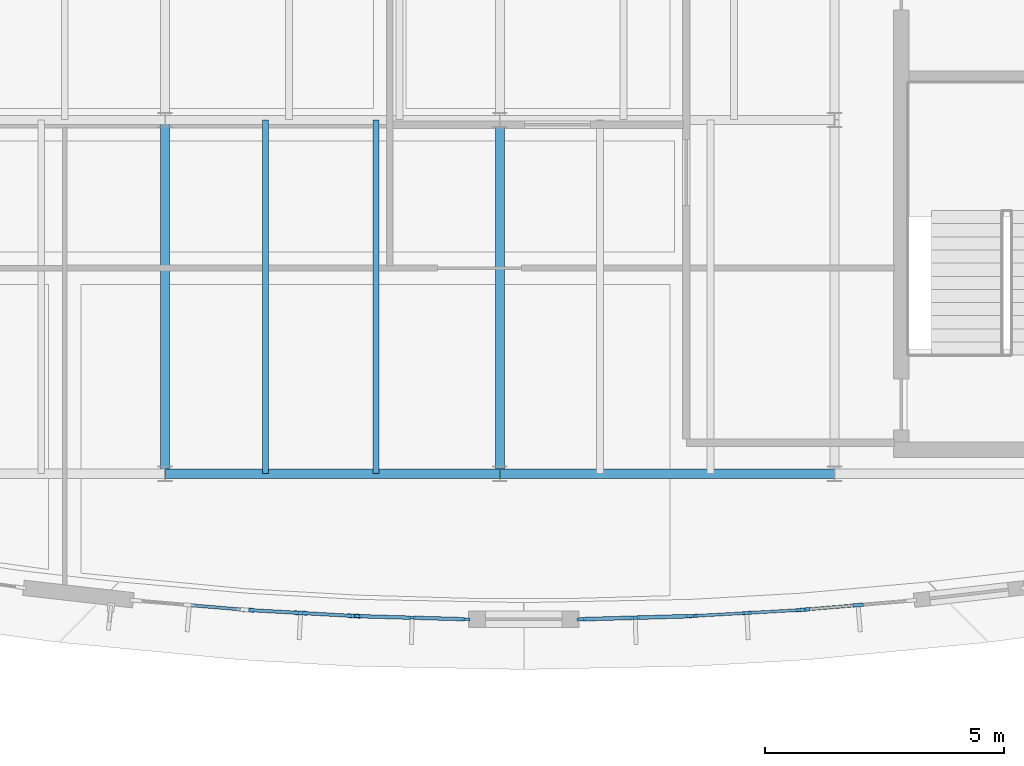
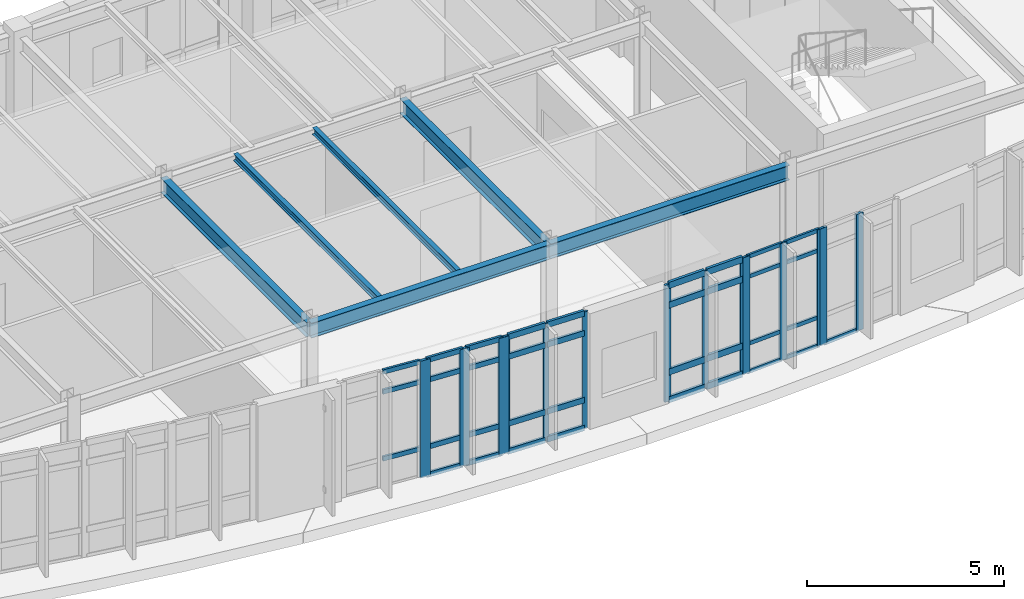
# One storey, part 35 of 111: 50 members, 6 beams, 6 elements without a shape of their own.
"""IFC4 building model written with IfcOpenShell, lengths in metres."""

from ifc_helpers import new_model, si_unit, direction, frame, origin, origin_2d, place, context, subcontext, project, spatial, rectangle, i_section, extrude, material, material_profile, profile_set, type_object, element, aggregate, save


model = new_model("IFC4")

# Units and contexts
model_context = context("Model", 3, precision=1e-05, world=origin(), true_north=direction((0.0, 1.0)))
body_context = subcontext(model_context, "Body", "Model", "MODEL_VIEW")
ifc_project = project(units=[si_unit("LENGTHUNIT", "METRE"), si_unit("AREAUNIT", "SQUARE_METRE"), si_unit("VOLUMEUNIT", "CUBIC_METRE"), si_unit("PLANEANGLEUNIT", "RADIAN"), si_unit("MASSUNIT", "GRAM", prefix="KILO")], contexts=[model_context])

# Site, building, storey
site_placement = place(None, origin())
site = spatial("IfcSite", under=ifc_project, at=site_placement, CompositionType="ELEMENT")
building_placement = place(site_placement, origin())
building = spatial("IfcBuilding", under=site, at=building_placement, Name="Corveleigh Park Community Centre", CompositionType="ELEMENT")
storey_placement = place(building_placement, frame((0.0, 0.0, 4.800048828125)))
storey = spatial("IfcBuildingStorey", under=building, at=storey_placement, Name="L01", CompositionType="ELEMENT", Elevation=4.800048828125)

# Beams
ifc_material_1 = material(Name="Steel S355", Category="steel")
ifc_material_profile_1 = material_profile(ifc_material_1, i_section(OverallWidth=0.1337890625, OverallDepth=0.206787109375, WebThickness=0.00634765625, FlangeThickness=0.009521484375, at=origin_2d()), Name="UKB 203x133x30", Category="steel")
ifc_profile_set_1 = profile_set([ifc_material_profile_1], Name="Steel S355")
beam_type_1 = type_object("IfcBeamType", Name="BM-STL-UKB203x30", PredefinedType="JOIST", material=ifc_profile_set_1)
for number, where, z_axis, x_axis, name in (
    (1, (27.300048828125, 78.0048828125, 3.553466796875), (0.0, 1.0, 0.0), (-1.0, 0.0, 0.0), "Secondary floor joist"),
    (2, (29.610107421875, 78.0048828125, 3.553466796875), (0.0, 1.0, 0.0), (-1.0, 0.0, 0.0), "Secondary floor joist"),
):
    element("IfcBeam", number, at=place(storey_placement, frame(where, z_axis=z_axis, x_axis=x_axis)), inside=storey, type_object=beam_type_1, Name=name, PredefinedType="JOIST", context=body_context, shape_type="SweptSolid", body=[
        extrude(i_section(OverallWidth=0.1337890625, OverallDepth=0.206787109375, WebThickness=0.00634765625, FlangeThickness=0.009521484375, at=origin_2d()), origin(), (0.0, 0.0, 1.0), 7.39013671875),
    ])
ifc_material_profile_2 = material_profile(ifc_material_1, i_section(OverallWidth=0.1904296875, OverallDepth=0.45703125, WebThickness=0.009033203125, FlangeThickness=0.014404296875, at=origin_2d()), Name="UKB 457x191x74", Category="steel")
ifc_profile_set_2 = profile_set([ifc_material_profile_2], Name="Steel S355")
beam_type_2 = type_object("IfcBeamType", Name="BM-STL-UKB457x74", PredefinedType="BEAM", material=ifc_profile_set_2)
for number, where, z_axis, x_axis, name in (
    (3, (25.199951171875, 78.0048828125, 3.428466796875), (0.0, 1.0, 0.0), (-1.0, 0.0, 0.0), "V2 Studio Girder Y"),
    (4, (32.199951171875, 78.0048828125, 3.428466796875), (0.0, 1.0, 0.0), (-1.0, 0.0, 0.0), "V2 Studio Girder Y"),
):
    element("IfcBeam", number, at=place(storey_placement, frame(where, z_axis=z_axis, x_axis=x_axis)), inside=storey, type_object=beam_type_2, Name=name, PredefinedType="BEAM", context=body_context, shape_type="SweptSolid", body=[
        extrude(i_section(OverallWidth=0.1904296875, OverallDepth=0.45703125, WebThickness=0.009033203125, FlangeThickness=0.014404296875, at=origin_2d()), origin(), (0.0, 0.0, 1.0), 7.39013671875),
    ])
ifc_material_profile_3 = material_profile(ifc_material_1, i_section(OverallWidth=0.19140625, OverallDepth=0.4599609375, WebThickness=0.010009765625, FlangeThickness=0.01611328125, at=origin_2d()), Name="UKB 457x191x82", Category="steel")
ifc_profile_set_3 = profile_set([ifc_material_profile_3], Name="Steel S355")
beam_type_3 = type_object("IfcBeamType", Name="BM-STL-UKB457x82", PredefinedType="BEAM", material=ifc_profile_set_3)
for number, where, z_axis, x_axis, name in (
    (5, (25.205078125, 78.0, 3.427001953125), (1.0, 0.0, 0.0), (0.0, 1.0, 0.0), "V2 Studio Girder X"),
    (6, (32.205078125, 78.0, 3.427001953125), (1.0, 0.0, 0.0), (0.0, 1.0, 0.0), "V2 Studio Girder X"),
):
    element("IfcBeam", number, at=place(storey_placement, frame(where, z_axis=z_axis, x_axis=x_axis)), inside=storey, type_object=beam_type_3, Name=name, PredefinedType="BEAM", context=body_context, shape_type="SweptSolid", body=[
        extrude(i_section(OverallWidth=0.19140625, OverallDepth=0.4599609375, WebThickness=0.010009765625, FlangeThickness=0.01611328125, at=origin_2d()), origin(), (0.0, 0.0, 1.0), 6.989990234375),
    ])

# Curtain wall, members
ifc_material_2 = material(Name="Anodised aluminium 6063-T6", Category="aluminium")
curtain_wall_type = type_object("IfcCurtainWallType", Name="CW-SYS-V2-HALL", PredefinedType="NOTDEFINED", material=ifc_material_2)
curtain_wall_1_placement = place(storey_placement, origin())
curtain_wall_1 = element("IfcCurtainWall", 7, at=curtain_wall_1_placement, inside=storey, type_object=curtain_wall_type, Name="V2 L01 Curtain Wall 199", PredefinedType="NOTDEFINED")
ifc_material_profile_4 = material_profile(ifc_material_2, rectangle(XDim=0.06005859375, YDim=0.159912109375, at=origin_2d()), Name="ALU-M60x160", Category="aluminium")
ifc_profile_set_4 = profile_set([ifc_material_profile_4], Name="Anodised aluminium 6063-T6")
member_type_1 = type_object("IfcMemberType", Name="CWM-60x160", PredefinedType="MULLION", material=ifc_profile_set_4)
member_1_placement = place(storey_placement, frame((31.493896484375, 74.956787109375, 0.0), z_axis=(0.0, 0.0, 1.0), x_axis=(-0.028498139871, -0.999593845531, 0.0)))
member_1 = element("IfcMember", 8, at=member_1_placement, type_object=member_type_1, Name="CW04 mullion 1", PredefinedType="MULLION", context=body_context, shape_type="SweptSolid", body=[
    extrude(rectangle(XDim=0.06005859375, YDim=0.159912109375, at=origin_2d()), origin(), (0.0, 0.0, 1.0), 3.619873046875),
])
member_2_placement = place(storey_placement, frame((30.366455078125, 74.989013671875, 0.0), z_axis=(0.0, 0.0, 1.0), x_axis=(-0.028498139871, -0.999593845531, 0.0)))
member_2 = element("IfcMember", 9, at=member_2_placement, type_object=member_type_1, Name="CW04 mullion 2", PredefinedType="MULLION", context=body_context, shape_type="SweptSolid", body=[
    extrude(rectangle(XDim=0.06005859375, YDim=0.159912109375, at=origin_2d()), origin(), (0.0, 0.0, 1.0), 3.619873046875),
])
member_3_placement = place(storey_placement, frame((29.239013671875, 75.021240234375, 0.0), z_axis=(0.0, 0.0, 1.0), x_axis=(-0.028498139871, -0.999593845531, 0.0)))
member_3 = element("IfcMember", 10, at=member_3_placement, type_object=member_type_1, Name="CW04 mullion 3", PredefinedType="MULLION", context=body_context, shape_type="SweptSolid", body=[
    extrude(rectangle(XDim=0.06005859375, YDim=0.159912109375, at=origin_2d()), origin(), (0.0, 0.0, 1.0), 3.619873046875),
])

curtain_wall_2_placement = place(storey_placement, origin())
curtain_wall_2 = element("IfcCurtainWall", 11, at=curtain_wall_2_placement, inside=storey, type_object=curtain_wall_type, Name="V2 L01 Curtain Wall 200", PredefinedType="NOTDEFINED")
ifc_material_profile_5 = material_profile(ifc_material_2, rectangle(XDim=0.06494140625, YDim=0.179931640625, at=origin_2d()), Name="ALU-M65x180", Category="aluminium")
ifc_profile_set_5 = profile_set([ifc_material_profile_5], Name="Anodised aluminium 6063-T6")
member_type_2 = type_object("IfcMemberType", Name="CWM-65x180", PredefinedType="MULLION", material=ifc_profile_set_5)
member_4_placement = place(storey_placement, frame((36.158447265625, 75.02099609375, 0.0), z_axis=(0.0, 0.0, 1.0), x_axis=(0.028498139871, -0.999593845531, 0.0)))
member_4 = element("IfcMember", 12, at=member_4_placement, type_object=member_type_2, Name="CW04 mullion 1", PredefinedType="MULLION", context=body_context, shape_type="SweptSolid", body=[
    extrude(rectangle(XDim=0.06494140625, YDim=0.179931640625, at=origin_2d()), origin(), (0.0, 0.0, 1.0), 3.619873046875),
])
member_5_placement = place(storey_placement, frame((35.033447265625, 74.989013671875, 0.0), z_axis=(0.0, 0.0, 1.0), x_axis=(0.028498139871, -0.999593845531, 0.0)))
member_5 = element("IfcMember", 13, at=member_5_placement, type_object=member_type_2, Name="CW04 mullion 2", PredefinedType="MULLION", context=body_context, shape_type="SweptSolid", body=[
    extrude(rectangle(XDim=0.06494140625, YDim=0.179931640625, at=origin_2d()), origin(), (0.0, 0.0, 1.0), 3.619873046875),
])
member_6_placement = place(storey_placement, frame((33.908447265625, 74.95703125, 0.0), z_axis=(0.0, 0.0, 1.0), x_axis=(0.028498139871, -0.999593845531, 0.0)))
member_6 = element("IfcMember", 14, at=member_6_placement, type_object=member_type_2, Name="CW04 mullion 3", PredefinedType="MULLION", context=body_context, shape_type="SweptSolid", body=[
    extrude(rectangle(XDim=0.06494140625, YDim=0.179931640625, at=origin_2d()), origin(), (0.0, 0.0, 1.0), 3.619873046875),
])

curtain_wall_3_placement = place(storey_placement, origin())
curtain_wall_3 = element("IfcCurtainWall", 15, at=curtain_wall_3_placement, inside=storey, type_object=curtain_wall_type, Name="V2 L01 Curtain Wall 201", PredefinedType="NOTDEFINED")
ifc_material_profile_6 = material_profile(ifc_material_2, rectangle(XDim=0.070068359375, YDim=0.199951171875, at=origin_2d()), Name="ALU-M70x200", Category="aluminium")
ifc_profile_set_6 = profile_set([ifc_material_profile_6], Name="Anodised aluminium 6063-T6")
member_type_3 = type_object("IfcMemberType", Name="CWM-70x200", PredefinedType="MULLION", material=ifc_profile_set_6)
member_7_placement = place(storey_placement, frame((38.486083984375, 75.151123046875, 0.0), z_axis=(0.0, 0.0, 1.0), x_axis=(0.056139697262, -0.998422923611, 0.0)))
member_7 = element("IfcMember", 16, at=member_7_placement, type_object=member_type_3, Name="CW04 mullion 1", PredefinedType="MULLION", context=body_context, shape_type="SweptSolid", body=[
    extrude(rectangle(XDim=0.070068359375, YDim=0.199951171875, at=origin_2d()), origin(), (0.0, 0.0, 1.0), 3.619873046875),
])
member_8_placement = place(storey_placement, frame((37.364990234375, 75.087890625, 0.0), z_axis=(0.0, 0.0, 1.0), x_axis=(0.056139697262, -0.998422923611, 0.0)))
member_8 = element("IfcMember", 17, at=member_8_placement, type_object=member_type_3, Name="CW04 mullion 2", PredefinedType="MULLION", context=body_context, shape_type="SweptSolid", body=[
    extrude(rectangle(XDim=0.070068359375, YDim=0.199951171875, at=origin_2d()), origin(), (0.0, 0.0, 1.0), 3.619873046875),
])
member_9_placement = place(storey_placement, frame((36.243896484375, 75.02490234375, 0.0), z_axis=(0.0, 0.0, 1.0), x_axis=(0.056139697262, -0.998422923611, 0.0)))
member_9 = element("IfcMember", 18, at=member_9_placement, type_object=member_type_3, Name="CW04 mullion 3", PredefinedType="MULLION", context=body_context, shape_type="SweptSolid", body=[
    extrude(rectangle(XDim=0.070068359375, YDim=0.199951171875, at=origin_2d()), origin(), (0.0, 0.0, 1.0), 3.619873046875),
])

curtain_wall_4_placement = place(storey_placement, origin())
curtain_wall_4 = element("IfcCurtainWall", 19, at=curtain_wall_4_placement, inside=storey, type_object=curtain_wall_type, Name="V2 L01 Curtain Wall 202", PredefinedType="NOTDEFINED")
ifc_material_profile_7 = material_profile(ifc_material_2, rectangle(XDim=0.074951171875, YDim=0.219970703125, at=origin_2d()), Name="ALU-M75x220", Category="aluminium")
ifc_profile_set_7 = profile_set([ifc_material_profile_7], Name="Anodised aluminium 6063-T6")
member_type_4 = type_object("IfcMemberType", Name="CWM-75x220", PredefinedType="MULLION", material=ifc_profile_set_7)
member_10_placement = place(storey_placement, frame((39.6923828125, 75.2529296875, 0.0), z_axis=(0.0, 0.0, 1.0), x_axis=(0.084653854486, -0.996410419918, 0.0)))
member_10 = element("IfcMember", 20, at=member_10_placement, type_object=member_type_4, Name="CW04 mullion 2", PredefinedType="MULLION", context=body_context, shape_type="SweptSolid", body=[
    extrude(rectangle(XDim=0.074951171875, YDim=0.219970703125, at=origin_2d()), origin(), (0.0, 0.0, 1.0), 3.619873046875),
])
member_11_placement = place(storey_placement, frame((38.576416015625, 75.158203125, 0.0), z_axis=(0.0, 0.0, 1.0), x_axis=(0.084653854486, -0.996410419918, 0.0)))
member_11 = element("IfcMember", 21, at=member_11_placement, type_object=member_type_4, Name="CW04 mullion 3", PredefinedType="MULLION", context=body_context, shape_type="SweptSolid", body=[
    extrude(rectangle(XDim=0.074951171875, YDim=0.219970703125, at=origin_2d()), origin(), (0.0, 0.0, 1.0), 3.619873046875),
])

curtain_wall_5_placement = place(storey_placement, origin())
curtain_wall_5 = element("IfcCurtainWall", 22, at=curtain_wall_5_placement, inside=storey, type_object=curtain_wall_type, Name="V2 L01 Curtain Wall 198", PredefinedType="NOTDEFINED")
ifc_material_profile_8 = material_profile(ifc_material_2, rectangle(XDim=0.0849609375, YDim=0.27490234375, at=origin_2d()), Name="ALU-M85x275", Category="aluminium")
ifc_profile_set_8 = profile_set([ifc_material_profile_8], Name="Anodised aluminium 6063-T6")
member_type_5 = type_object("IfcMemberType", Name="CWM-85x275", PredefinedType="MULLION", material=ifc_profile_set_8)
member_12_placement = place(storey_placement, frame((29.148681640625, 75.025390625, 0.0), z_axis=(0.0, 0.0, 1.0), x_axis=(-0.056139697262, -0.998422923611, 0.0)))
member_12 = element("IfcMember", 23, at=member_12_placement, type_object=member_type_5, Name="CW04 mullion 1", PredefinedType="MULLION", context=body_context, shape_type="SweptSolid", body=[
    extrude(rectangle(XDim=0.0849609375, YDim=0.27490234375, at=origin_2d()), origin(), (0.0, 0.0, 1.0), 3.619873046875),
])
member_13_placement = place(storey_placement, frame((28.034912109375, 75.087890625, 0.0), z_axis=(0.0, 0.0, 1.0), x_axis=(-0.056139697262, -0.998422923611, 0.0)))
member_13 = element("IfcMember", 24, at=member_13_placement, type_object=member_type_5, Name="CW04 mullion 2", PredefinedType="MULLION", context=body_context, shape_type="SweptSolid", body=[
    extrude(rectangle(XDim=0.0849609375, YDim=0.27490234375, at=origin_2d()), origin(), (0.0, 0.0, 1.0), 3.619873046875),
])
member_14_placement = place(storey_placement, frame((26.92138671875, 75.150634765625, 0.0), z_axis=(0.0, 0.0, 1.0), x_axis=(-0.056139697262, -0.998422923611, 0.0)))
member_14 = element("IfcMember", 25, at=member_14_placement, type_object=member_type_5, Name="CW04 mullion 3", PredefinedType="MULLION", context=body_context, shape_type="SweptSolid", body=[
    extrude(rectangle(XDim=0.0849609375, YDim=0.27490234375, at=origin_2d()), origin(), (0.0, 0.0, 1.0), 3.619873046875),
])

# Member
ifc_material_profile_9 = material_profile(ifc_material_2, rectangle(XDim=0.06005859375, YDim=0.1201171875, at=origin_2d()), Name="ALU-T60x120", Category="aluminium")
ifc_profile_set_9 = profile_set([ifc_material_profile_9], Name="Anodised aluminium 6063-T6")
member_type_6 = type_object("IfcMemberType", Name="CWT-60x120", PredefinedType="USERDEFINED", material=ifc_profile_set_9)
member_15_placement = place(storey_placement, frame((38.451171875, 75.149169921875, 0.030029296875), z_axis=(-0.998411458014, -0.056343238341, 0.0), x_axis=(0.056343238341, -0.998411458014, 0.0)))
member_15 = element("IfcMember", 26, at=member_15_placement, type_object=member_type_6, Name="CW04 transom 1.1", ObjectType="TRANSOM", PredefinedType="USERDEFINED", context=body_context, shape_type="SweptSolid", body=[
    extrude(rectangle(XDim=0.06005859375, YDim=0.1201171875, at=origin_2d()), origin(), (0.0, 0.0, 1.0), 1.052978515625),
])

member_16_placement = place(storey_placement, frame((38.451171875, 75.149169921875, 0.89990234375), z_axis=(-0.998411458014, -0.056343238341, 0.0), x_axis=(0.056343238341, -0.998411458014, 0.0)))
member_16 = element("IfcMember", 27, at=member_16_placement, type_object=member_type_6, Name="CW04 transom 1.2", ObjectType="TRANSOM", PredefinedType="USERDEFINED", context=body_context, shape_type="SweptSolid", body=[
    extrude(rectangle(XDim=0.06005859375, YDim=0.1201171875, at=origin_2d()), origin(), (0.0, 0.0, 1.0), 1.052978515625),
])

member_17_placement = place(storey_placement, frame((38.451171875, 75.149169921875, 2.969970703125), z_axis=(-0.998411458014, -0.056343238341, 0.0), x_axis=(0.056343238341, -0.998411458014, 0.0)))
member_17 = element("IfcMember", 28, at=member_17_placement, type_object=member_type_6, Name="CW04 transom 1.3", ObjectType="TRANSOM", PredefinedType="USERDEFINED", context=body_context, shape_type="SweptSolid", body=[
    extrude(rectangle(XDim=0.06005859375, YDim=0.1201171875, at=origin_2d()), origin(), (0.0, 0.0, 1.0), 1.052978515625),
])

member_18_placement = place(storey_placement, frame((38.451171875, 75.149169921875, 3.58984375), z_axis=(-0.998411458014, -0.056343238341, 0.0), x_axis=(0.056343238341, -0.998411458014, 0.0)))
member_18 = element("IfcMember", 29, at=member_18_placement, type_object=member_type_6, Name="CW04 transom 1.4", ObjectType="TRANSOM", PredefinedType="USERDEFINED", context=body_context, shape_type="SweptSolid", body=[
    extrude(rectangle(XDim=0.06005859375, YDim=0.1201171875, at=origin_2d()), origin(), (0.0, 0.0, 1.0), 1.052978515625),
])

member_19_placement = place(storey_placement, frame((37.330078125, 75.0859375, 0.030029296875), z_axis=(-0.998424474713, -0.05611210471, 0.0), x_axis=(0.05611210471, -0.998424474713, 0.0)))
member_19 = element("IfcMember", 30, at=member_19_placement, type_object=member_type_6, Name="CW04 transom 2.1", ObjectType="TRANSOM", PredefinedType="USERDEFINED", context=body_context, shape_type="SweptSolid", body=[
    extrude(rectangle(XDim=0.06005859375, YDim=0.1201171875, at=origin_2d()), origin(), (0.0, 0.0, 1.0), 1.052978515625),
])

member_20_placement = place(storey_placement, frame((37.330078125, 75.0859375, 0.89990234375), z_axis=(-0.998424474713, -0.05611210471, 0.0), x_axis=(0.05611210471, -0.998424474713, 0.0)))
member_20 = element("IfcMember", 31, at=member_20_placement, type_object=member_type_6, Name="CW04 transom 2.2", ObjectType="TRANSOM", PredefinedType="USERDEFINED", context=body_context, shape_type="SweptSolid", body=[
    extrude(rectangle(XDim=0.06005859375, YDim=0.1201171875, at=origin_2d()), origin(), (0.0, 0.0, 1.0), 1.052978515625),
])

member_21_placement = place(storey_placement, frame((37.330078125, 75.0859375, 2.969970703125), z_axis=(-0.998424474713, -0.05611210471, 0.0), x_axis=(0.05611210471, -0.998424474713, 0.0)))
member_21 = element("IfcMember", 32, at=member_21_placement, type_object=member_type_6, Name="CW04 transom 2.3", ObjectType="TRANSOM", PredefinedType="USERDEFINED", context=body_context, shape_type="SweptSolid", body=[
    extrude(rectangle(XDim=0.06005859375, YDim=0.1201171875, at=origin_2d()), origin(), (0.0, 0.0, 1.0), 1.052978515625),
])

member_22_placement = place(storey_placement, frame((37.330078125, 75.0859375, 3.58984375), z_axis=(-0.998424474713, -0.05611210471, 0.0), x_axis=(0.05611210471, -0.998424474713, 0.0)))
member_22 = element("IfcMember", 33, at=member_22_placement, type_object=member_type_6, Name="CW04 transom 2.4", ObjectType="TRANSOM", PredefinedType="USERDEFINED", context=body_context, shape_type="SweptSolid", body=[
    extrude(rectangle(XDim=0.06005859375, YDim=0.1201171875, at=origin_2d()), origin(), (0.0, 0.0, 1.0), 1.052978515625),
])

aggregate(curtain_wall_3, [member_7, member_8, member_9, member_15, member_16, member_17, member_18, member_19, member_20, member_21, member_22])

# Curtain wall, members
curtain_wall_6_placement = place(storey_placement, origin())
curtain_wall_6 = element("IfcCurtainWall", 34, at=curtain_wall_6_placement, inside=storey, type_object=curtain_wall_type, Name="V2 L01 Curtain Wall 197", PredefinedType="NOTDEFINED")
ifc_material_profile_10 = material_profile(ifc_material_2, rectangle(XDim=0.06494140625, YDim=0.139892578125, at=origin_2d()), Name="ALU-T65x140", Category="aluminium")
ifc_profile_set_10 = profile_set([ifc_material_profile_10], Name="Anodised aluminium 6063-T6")
member_type_7 = type_object("IfcMemberType", Name="CWT-65x140", PredefinedType="USERDEFINED", material=ifc_profile_set_10)
member_23_placement = place(storey_placement, frame((26.78125, 75.161865234375, 0.89990234375), z_axis=(-0.996426291348, 0.084466833198, 0.0), x_axis=(-0.084466833198, -0.996426291348, 0.0)))
member_23 = element("IfcMember", 35, at=member_23_placement, type_object=member_type_7, Name="CW04 transom 1.2", ObjectType="TRANSOM", PredefinedType="USERDEFINED", context=body_context, shape_type="SweptSolid", body=[
    extrude(rectangle(XDim=0.06494140625, YDim=0.139892578125, at=origin_2d()), origin(), (0.0, 0.0, 1.0), 1.03759765625),
])
member_24_placement = place(storey_placement, frame((26.78125, 75.161865234375, 2.969970703125), z_axis=(-0.996426291348, 0.084466833198, 0.0), x_axis=(-0.084466833198, -0.996426291348, 0.0)))
member_24 = element("IfcMember", 36, at=member_24_placement, type_object=member_type_7, Name="CW04 transom 1.3", ObjectType="TRANSOM", PredefinedType="USERDEFINED", context=body_context, shape_type="SweptSolid", body=[
    extrude(rectangle(XDim=0.06494140625, YDim=0.139892578125, at=origin_2d()), origin(), (0.0, 0.0, 1.0), 1.03759765625),
])
member_25_placement = place(storey_placement, frame((26.78125, 75.161865234375, 3.58740234375), z_axis=(-0.996426291348, 0.084466833198, 0.0), x_axis=(-0.084466833198, -0.996426291348, 0.0)))
member_25 = element("IfcMember", 37, at=member_25_placement, type_object=member_type_7, Name="CW04 transom 1.4", ObjectType="TRANSOM", PredefinedType="USERDEFINED", context=body_context, shape_type="SweptSolid", body=[
    extrude(rectangle(XDim=0.06494140625, YDim=0.139892578125, at=origin_2d()), origin(), (0.0, 0.0, 1.0), 1.03759765625),
])
aggregate(curtain_wall_6, [member_23, member_24, member_25])

# Member
member_26_placement = place(storey_placement, frame((39.655029296875, 75.249755859375, 0.032470703125), z_axis=(-0.996417301475, -0.084572816679, 0.0), x_axis=(0.084572816679, -0.996417301475, 0.0)))
member_26 = element("IfcMember", 38, at=member_26_placement, type_object=member_type_7, Name="CW04 transom 2.1", ObjectType="TRANSOM", PredefinedType="USERDEFINED", context=body_context, shape_type="SweptSolid", body=[
    extrude(rectangle(XDim=0.06494140625, YDim=0.139892578125, at=origin_2d()), origin(), (0.0, 0.0, 1.0), 1.044921875),
])

aggregate(curtain_wall_4, [member_10, member_11, member_26])

ifc_material_profile_11 = material_profile(ifc_material_2, rectangle(XDim=0.070068359375, YDim=0.155029296875, at=origin_2d()), Name="ALU-T70x155", Category="aluminium")
ifc_profile_set_11 = profile_set([ifc_material_profile_11], Name="Anodised aluminium 6063-T6")
member_type_8 = type_object("IfcMemberType", Name="CWT-70x155", PredefinedType="USERDEFINED", material=ifc_profile_set_11)
member_27_placement = place(storey_placement, frame((29.106201171875, 75.02783203125, 0.034912109375), z_axis=(-0.998422211271, 0.056152364516, 0.0), x_axis=(-0.056152364516, -0.998422211271, 0.0)))
member_27 = element("IfcMember", 39, at=member_27_placement, type_object=member_type_8, Name="CW04 transom 1.1", ObjectType="TRANSOM", PredefinedType="USERDEFINED", context=body_context, shape_type="SweptSolid", body=[
    extrude(rectangle(XDim=0.070068359375, YDim=0.155029296875, at=origin_2d()), origin(), (0.0, 0.0, 1.0), 1.030517578125),
])

member_28_placement = place(storey_placement, frame((29.106201171875, 75.02783203125, 0.89990234375), z_axis=(-0.998422211271, 0.056152364516, 0.0), x_axis=(-0.056152364516, -0.998422211271, 0.0)))
member_28 = element("IfcMember", 40, at=member_28_placement, type_object=member_type_8, Name="CW04 transom 1.2", ObjectType="TRANSOM", PredefinedType="USERDEFINED", context=body_context, shape_type="SweptSolid", body=[
    extrude(rectangle(XDim=0.070068359375, YDim=0.155029296875, at=origin_2d()), origin(), (0.0, 0.0, 1.0), 1.030517578125),
])

member_29_placement = place(storey_placement, frame((29.106201171875, 75.02783203125, 2.969970703125), z_axis=(-0.998422211271, 0.056152364516, 0.0), x_axis=(-0.056152364516, -0.998422211271, 0.0)))
member_29 = element("IfcMember", 41, at=member_29_placement, type_object=member_type_8, Name="CW04 transom 1.3", ObjectType="TRANSOM", PredefinedType="USERDEFINED", context=body_context, shape_type="SweptSolid", body=[
    extrude(rectangle(XDim=0.070068359375, YDim=0.155029296875, at=origin_2d()), origin(), (0.0, 0.0, 1.0), 1.030517578125),
])

member_30_placement = place(storey_placement, frame((29.106201171875, 75.02783203125, 3.5849609375), z_axis=(-0.998422211271, 0.056152364516, 0.0), x_axis=(-0.056152364516, -0.998422211271, 0.0)))
member_30 = element("IfcMember", 42, at=member_30_placement, type_object=member_type_8, Name="CW04 transom 1.4", ObjectType="TRANSOM", PredefinedType="USERDEFINED", context=body_context, shape_type="SweptSolid", body=[
    extrude(rectangle(XDim=0.070068359375, YDim=0.155029296875, at=origin_2d()), origin(), (0.0, 0.0, 1.0), 1.030517578125),
])

member_31_placement = place(storey_placement, frame((27.99267578125, 75.09033203125, 0.034912109375), z_axis=(-0.998422211271, 0.056152364516, 0.0), x_axis=(-0.056152364516, -0.998422211271, 0.0)))
member_31 = element("IfcMember", 43, at=member_31_placement, type_object=member_type_8, Name="CW04 transom 2.1", ObjectType="TRANSOM", PredefinedType="USERDEFINED", context=body_context, shape_type="SweptSolid", body=[
    extrude(rectangle(XDim=0.070068359375, YDim=0.155029296875, at=origin_2d()), origin(), (0.0, 0.0, 1.0), 1.030517578125),
])

member_32_placement = place(storey_placement, frame((27.99267578125, 75.09033203125, 0.89990234375), z_axis=(-0.998422211271, 0.056152364516, 0.0), x_axis=(-0.056152364516, -0.998422211271, 0.0)))
member_32 = element("IfcMember", 44, at=member_32_placement, type_object=member_type_8, Name="CW04 transom 2.2", ObjectType="TRANSOM", PredefinedType="USERDEFINED", context=body_context, shape_type="SweptSolid", body=[
    extrude(rectangle(XDim=0.070068359375, YDim=0.155029296875, at=origin_2d()), origin(), (0.0, 0.0, 1.0), 1.030517578125),
])

member_33_placement = place(storey_placement, frame((27.99267578125, 75.09033203125, 2.969970703125), z_axis=(-0.998422211271, 0.056152364516, 0.0), x_axis=(-0.056152364516, -0.998422211271, 0.0)))
member_33 = element("IfcMember", 45, at=member_33_placement, type_object=member_type_8, Name="CW04 transom 2.3", ObjectType="TRANSOM", PredefinedType="USERDEFINED", context=body_context, shape_type="SweptSolid", body=[
    extrude(rectangle(XDim=0.070068359375, YDim=0.155029296875, at=origin_2d()), origin(), (0.0, 0.0, 1.0), 1.030517578125),
])

member_34_placement = place(storey_placement, frame((27.99267578125, 75.09033203125, 3.5849609375), z_axis=(-0.998422211271, 0.056152364516, 0.0), x_axis=(-0.056152364516, -0.998422211271, 0.0)))
member_34 = element("IfcMember", 46, at=member_34_placement, type_object=member_type_8, Name="CW04 transom 2.4", ObjectType="TRANSOM", PredefinedType="USERDEFINED", context=body_context, shape_type="SweptSolid", body=[
    extrude(rectangle(XDim=0.070068359375, YDim=0.155029296875, at=origin_2d()), origin(), (0.0, 0.0, 1.0), 1.030517578125),
])

aggregate(curtain_wall_5, [member_12, member_13, member_14, member_27, member_28, member_29, member_30, member_31, member_32, member_33, member_34])

ifc_material_profile_12 = material_profile(ifc_material_2, rectangle(XDim=0.074951171875, YDim=0.175048828125, at=origin_2d()), Name="ALU-T75x175", Category="aluminium")
ifc_profile_set_12 = profile_set([ifc_material_profile_12], Name="Anodised aluminium 6063-T6")
member_type_9 = type_object("IfcMemberType", Name="CWT-75x175", PredefinedType="USERDEFINED", material=ifc_profile_set_12)
member_35_placement = place(storey_placement, frame((31.464111328125, 74.957763671875, 0.037353515625), z_axis=(-0.999598216017, 0.028344426889, 0.0), x_axis=(-0.028344426889, -0.999598216017, 0.0)))
member_35 = element("IfcMember", 47, at=member_35_placement, type_object=member_type_9, Name="CW04 transom 1.1", ObjectType="TRANSOM", PredefinedType="USERDEFINED", context=body_context, shape_type="SweptSolid", body=[
    extrude(rectangle(XDim=0.074951171875, YDim=0.175048828125, at=origin_2d()), origin(), (0.0, 0.0, 1.0), 1.068115234375),
])

member_36_placement = place(storey_placement, frame((31.464111328125, 74.957763671875, 0.89990234375), z_axis=(-0.999598216017, 0.028344426889, 0.0), x_axis=(-0.028344426889, -0.999598216017, 0.0)))
member_36 = element("IfcMember", 48, at=member_36_placement, type_object=member_type_9, Name="CW04 transom 1.2", ObjectType="TRANSOM", PredefinedType="USERDEFINED", context=body_context, shape_type="SweptSolid", body=[
    extrude(rectangle(XDim=0.074951171875, YDim=0.175048828125, at=origin_2d()), origin(), (0.0, 0.0, 1.0), 1.068115234375),
])

member_37_placement = place(storey_placement, frame((31.464111328125, 74.957763671875, 2.969970703125), z_axis=(-0.999598216017, 0.028344426889, 0.0), x_axis=(-0.028344426889, -0.999598216017, 0.0)))
member_37 = element("IfcMember", 49, at=member_37_placement, type_object=member_type_9, Name="CW04 transom 1.3", ObjectType="TRANSOM", PredefinedType="USERDEFINED", context=body_context, shape_type="SweptSolid", body=[
    extrude(rectangle(XDim=0.074951171875, YDim=0.175048828125, at=origin_2d()), origin(), (0.0, 0.0, 1.0), 1.068115234375),
])

member_38_placement = place(storey_placement, frame((31.464111328125, 74.957763671875, 3.58251953125), z_axis=(-0.999598216017, 0.028344426889, 0.0), x_axis=(-0.028344426889, -0.999598216017, 0.0)))
member_38 = element("IfcMember", 50, at=member_38_placement, type_object=member_type_9, Name="CW04 transom 1.4", ObjectType="TRANSOM", PredefinedType="USERDEFINED", context=body_context, shape_type="SweptSolid", body=[
    extrude(rectangle(XDim=0.074951171875, YDim=0.175048828125, at=origin_2d()), origin(), (0.0, 0.0, 1.0), 1.068115234375),
])

member_39_placement = place(storey_placement, frame((30.33642578125, 74.98974609375, 0.037353515625), z_axis=(-0.999591526804, 0.028579355181, 0.0), x_axis=(-0.028579355181, -0.999591526804, 0.0)))
member_39 = element("IfcMember", 51, at=member_39_placement, type_object=member_type_9, Name="CW04 transom 2.1", ObjectType="TRANSOM", PredefinedType="USERDEFINED", context=body_context, shape_type="SweptSolid", body=[
    extrude(rectangle(XDim=0.074951171875, YDim=0.175048828125, at=origin_2d()), origin(), (0.0, 0.0, 1.0), 1.06787109375),
])

member_40_placement = place(storey_placement, frame((30.33642578125, 74.98974609375, 0.89990234375), z_axis=(-0.999591526804, 0.028579355181, 0.0), x_axis=(-0.028579355181, -0.999591526804, 0.0)))
member_40 = element("IfcMember", 52, at=member_40_placement, type_object=member_type_9, Name="CW04 transom 2.2", ObjectType="TRANSOM", PredefinedType="USERDEFINED", context=body_context, shape_type="SweptSolid", body=[
    extrude(rectangle(XDim=0.074951171875, YDim=0.175048828125, at=origin_2d()), origin(), (0.0, 0.0, 1.0), 1.06787109375),
])

member_41_placement = place(storey_placement, frame((30.33642578125, 74.98974609375, 2.969970703125), z_axis=(-0.999591526804, 0.028579355181, 0.0), x_axis=(-0.028579355181, -0.999591526804, 0.0)))
member_41 = element("IfcMember", 53, at=member_41_placement, type_object=member_type_9, Name="CW04 transom 2.3", ObjectType="TRANSOM", PredefinedType="USERDEFINED", context=body_context, shape_type="SweptSolid", body=[
    extrude(rectangle(XDim=0.074951171875, YDim=0.175048828125, at=origin_2d()), origin(), (0.0, 0.0, 1.0), 1.06787109375),
])

member_42_placement = place(storey_placement, frame((30.33642578125, 74.98974609375, 3.58251953125), z_axis=(-0.999591526804, 0.028579355181, 0.0), x_axis=(-0.028579355181, -0.999591526804, 0.0)))
member_42 = element("IfcMember", 54, at=member_42_placement, type_object=member_type_9, Name="CW04 transom 2.4", ObjectType="TRANSOM", PredefinedType="USERDEFINED", context=body_context, shape_type="SweptSolid", body=[
    extrude(rectangle(XDim=0.074951171875, YDim=0.175048828125, at=origin_2d()), origin(), (0.0, 0.0, 1.0), 1.06787109375),
])

aggregate(curtain_wall_1, [member_1, member_2, member_3, member_35, member_36, member_37, member_38, member_39, member_40, member_41, member_42])

ifc_material_profile_13 = material_profile(ifc_material_2, rectangle(XDim=0.080078125, YDim=0.195068359375, at=origin_2d()), Name="ALU-T80x195", Category="aluminium")
ifc_profile_set_13 = profile_set([ifc_material_profile_13], Name="Anodised aluminium 6063-T6")
member_type_10 = type_object("IfcMemberType", Name="CWT-80x195", PredefinedType="USERDEFINED", material=ifc_profile_set_13)
member_43_placement = place(storey_placement, frame((36.1259765625, 75.020263671875, 0.0400390625), z_axis=(-0.999592461929, -0.028546629498, 0.0), x_axis=(0.028546629498, -0.999592461929, 0.0)))
member_43 = element("IfcMember", 55, at=member_43_placement, type_object=member_type_10, Name="CW04 transom 1.1", ObjectType="TRANSOM", PredefinedType="USERDEFINED", context=body_context, shape_type="SweptSolid", body=[
    extrude(rectangle(XDim=0.080078125, YDim=0.195068359375, at=origin_2d()), origin(), (0.0, 0.0, 1.0), 1.060546875),
])

member_44_placement = place(storey_placement, frame((36.1259765625, 75.020263671875, 0.89990234375), z_axis=(-0.999592461929, -0.028546629498, 0.0), x_axis=(0.028546629498, -0.999592461929, 0.0)))
member_44 = element("IfcMember", 56, at=member_44_placement, type_object=member_type_10, Name="CW04 transom 1.2", ObjectType="TRANSOM", PredefinedType="USERDEFINED", context=body_context, shape_type="SweptSolid", body=[
    extrude(rectangle(XDim=0.080078125, YDim=0.195068359375, at=origin_2d()), origin(), (0.0, 0.0, 1.0), 1.060546875),
])

member_45_placement = place(storey_placement, frame((36.1259765625, 75.020263671875, 2.969970703125), z_axis=(-0.999592461929, -0.028546629498, 0.0), x_axis=(0.028546629498, -0.999592461929, 0.0)))
member_45 = element("IfcMember", 57, at=member_45_placement, type_object=member_type_10, Name="CW04 transom 1.3", ObjectType="TRANSOM", PredefinedType="USERDEFINED", context=body_context, shape_type="SweptSolid", body=[
    extrude(rectangle(XDim=0.080078125, YDim=0.195068359375, at=origin_2d()), origin(), (0.0, 0.0, 1.0), 1.060546875),
])

member_46_placement = place(storey_placement, frame((36.1259765625, 75.020263671875, 3.579833984375), z_axis=(-0.999592461929, -0.028546629498, 0.0), x_axis=(0.028546629498, -0.999592461929, 0.0)))
member_46 = element("IfcMember", 58, at=member_46_placement, type_object=member_type_10, Name="CW04 transom 1.4", ObjectType="TRANSOM", PredefinedType="USERDEFINED", context=body_context, shape_type="SweptSolid", body=[
    extrude(rectangle(XDim=0.080078125, YDim=0.195068359375, at=origin_2d()), origin(), (0.0, 0.0, 1.0), 1.060546875),
])

member_47_placement = place(storey_placement, frame((35.0009765625, 74.988037109375, 0.0400390625), z_axis=(-0.999592461929, -0.028546629498, 0.0), x_axis=(0.028546629498, -0.999592461929, 0.0)))
member_47 = element("IfcMember", 59, at=member_47_placement, type_object=member_type_10, Name="CW04 transom 2.1", ObjectType="TRANSOM", PredefinedType="USERDEFINED", context=body_context, shape_type="SweptSolid", body=[
    extrude(rectangle(XDim=0.080078125, YDim=0.195068359375, at=origin_2d()), origin(), (0.0, 0.0, 1.0), 1.060546875),
])

member_48_placement = place(storey_placement, frame((35.0009765625, 74.988037109375, 0.89990234375), z_axis=(-0.999592461929, -0.028546629498, 0.0), x_axis=(0.028546629498, -0.999592461929, 0.0)))
member_48 = element("IfcMember", 60, at=member_48_placement, type_object=member_type_10, Name="CW04 transom 2.2", ObjectType="TRANSOM", PredefinedType="USERDEFINED", context=body_context, shape_type="SweptSolid", body=[
    extrude(rectangle(XDim=0.080078125, YDim=0.195068359375, at=origin_2d()), origin(), (0.0, 0.0, 1.0), 1.060546875),
])

member_49_placement = place(storey_placement, frame((35.0009765625, 74.988037109375, 2.969970703125), z_axis=(-0.999592461929, -0.028546629498, 0.0), x_axis=(0.028546629498, -0.999592461929, 0.0)))
member_49 = element("IfcMember", 61, at=member_49_placement, type_object=member_type_10, Name="CW04 transom 2.3", ObjectType="TRANSOM", PredefinedType="USERDEFINED", context=body_context, shape_type="SweptSolid", body=[
    extrude(rectangle(XDim=0.080078125, YDim=0.195068359375, at=origin_2d()), origin(), (0.0, 0.0, 1.0), 1.060546875),
])

member_50_placement = place(storey_placement, frame((35.0009765625, 74.988037109375, 3.579833984375), z_axis=(-0.999592461929, -0.028546629498, 0.0), x_axis=(0.028546629498, -0.999592461929, 0.0)))
member_50 = element("IfcMember", 62, at=member_50_placement, type_object=member_type_10, Name="CW04 transom 2.4", ObjectType="TRANSOM", PredefinedType="USERDEFINED", context=body_context, shape_type="SweptSolid", body=[
    extrude(rectangle(XDim=0.080078125, YDim=0.195068359375, at=origin_2d()), origin(), (0.0, 0.0, 1.0), 1.060546875),
])

aggregate(curtain_wall_2, [member_4, member_5, member_6, member_43, member_44, member_45, member_46, member_47, member_48, member_49, member_50])

save(model, "model.ifc")
